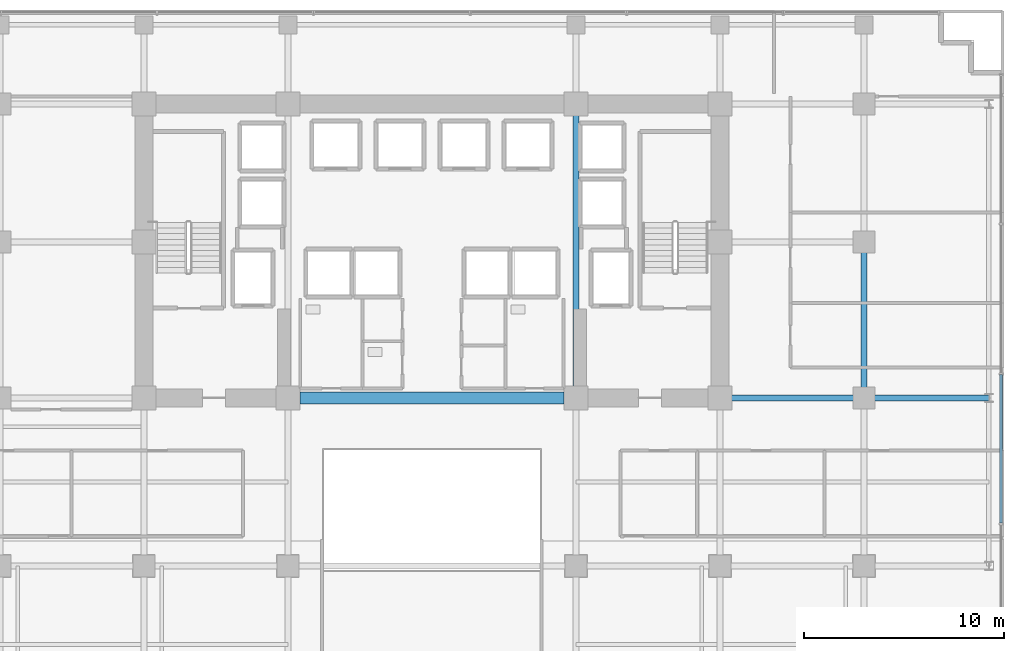
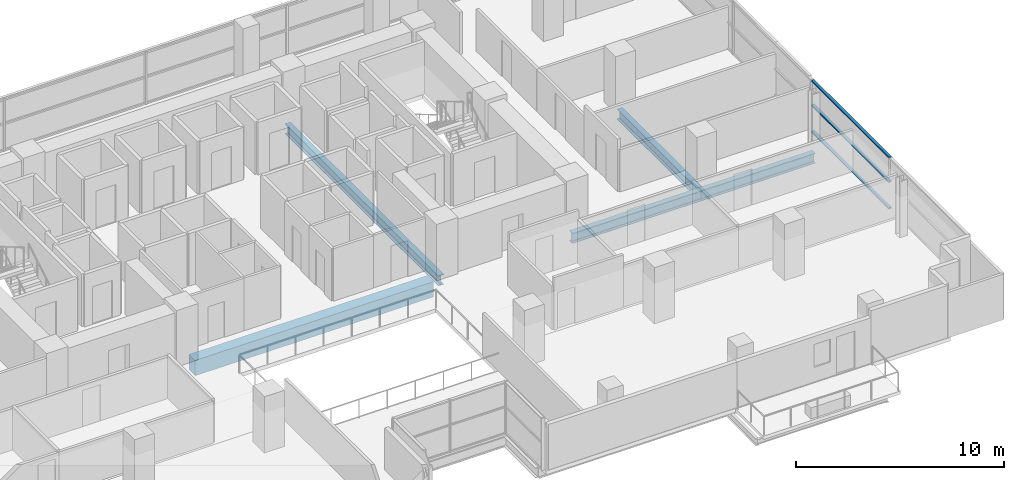
# One storey, part 14 of 31: 5 beams, 3 members, 1 element without a shape of its own.
"""IFC4 building model written with IfcOpenShell, lengths in metres."""

from ifc_helpers import new_model, si_unit, direction, frame, origin, origin_2d, place, context, subcontext, project, spatial, rectangle, hollow_rectangle, i_section, extrude, source, transform, mapped, material, layer, layer_set, material_profile, profile_set, type_object, element, aggregate, save


model = new_model("IFC4")

# Units and contexts
model_context = context("Model", 3, precision=1e-05, world=origin(), true_north=direction((0.0, 1.0)))
body_context = subcontext(model_context, "Body", "Model", "MODEL_VIEW")
ifc_project = project(units=[si_unit("LENGTHUNIT", "METRE"), si_unit("AREAUNIT", "SQUARE_METRE"), si_unit("VOLUMEUNIT", "CUBIC_METRE"), si_unit("PLANEANGLEUNIT", "RADIAN"), si_unit("MASSUNIT", "GRAM", prefix="KILO")], contexts=[model_context])

# Site, building, storey
site_placement = place(None, origin())
site = spatial("IfcSite", under=ifc_project, at=site_placement, CompositionType="ELEMENT")
building_placement = place(site_placement, origin())
building = spatial("IfcBuilding", under=site, at=building_placement, Name="Zarnakvel Exchange Tower", CompositionType="ELEMENT")
storey_placement = place(building_placement, frame((0.0, 0.0, 47.199951171875)))
storey = spatial("IfcBuildingStorey", under=building, at=storey_placement, Name="L12", CompositionType="ELEMENT", Elevation=47.199951171875)

# Beams
ifc_material_1 = material(Name="Concrete C80/95", Category="concrete")
ifc_material_profile_1 = material_profile(ifc_material_1, rectangle(XDim=0.60009765625, YDim=0.89990234375, at=origin_2d()))
ifc_profile_set_1 = profile_set([ifc_material_profile_1], Name="Concrete C80/95")
beam_type_1 = type_object("IfcBeamType", Name="CB-01", PredefinedType="LINTEL", material=ifc_profile_set_1)
beam_1_placement = place(storey_placement, frame((-6.60009765625, -1.199951171875, -0.675048828125), z_axis=(1.0, 0.0, 0.0), x_axis=(0.0, 1.0, 0.0)))
element("IfcBeam", 1, at=beam_1_placement, inside=storey, type_object=beam_type_1, Name="L12 Rear Core South Coupling Beam (CB-01)", PredefinedType="LINTEL", context=body_context, shape_type="SweptSolid", body=[
    extrude(rectangle(XDim=0.60009765625, YDim=0.89990234375, at=origin_2d()), origin(), (0.0, 0.0, 1.0), 13.2001953125),
])
ifc_material_2 = material(Name="Steel S355", Category="steel")
ifc_material_profile_2 = material_profile(ifc_material_2, i_section(OverallWidth=0.300048828125, OverallDepth=0.60009765625, WebThickness=0.015380859375, FlangeThickness=0.030029296875, FilletRadius=0.027099609375, at=origin_2d()))
ifc_profile_set_2 = profile_set([ifc_material_profile_2], Name="Steel S355")
beam_type_2 = type_object("IfcBeamType", Name="G-04", PredefinedType="BEAM", material=ifc_profile_set_2)
beam_2_placement = place(storey_placement, frame((14.39990234375, -1.199951171875, -0.52490234375), z_axis=(1.0, 0.0, 0.0), x_axis=(0.0, 1.0, 0.0)))
element("IfcBeam", 2, at=beam_2_placement, inside=storey, type_object=beam_type_2, Name="L12 Tower E-W Frame Beam", PredefinedType="BEAM", context=body_context, shape_type="SweptSolid", body=[
    extrude(i_section(OverallWidth=0.300048828125, OverallDepth=0.60009765625, WebThickness=0.015380859375, FlangeThickness=0.030029296875, FilletRadius=0.027099609375, at=origin_2d()), origin(), (0.0, 0.0, 1.0), 7.2001953125),
])
beam_3_placement = place(storey_placement, frame((21.60009765625, -1.199951171875, -0.52490234375), z_axis=(1.0, 0.0, 0.0), x_axis=(0.0, 1.0, 0.0)))
element("IfcBeam", 3, at=beam_3_placement, inside=storey, type_object=beam_type_2, Name="L12 Tower E-W Frame Beam", PredefinedType="BEAM", context=body_context, shape_type="SweptSolid", body=[
    extrude(i_section(OverallWidth=0.300048828125, OverallDepth=0.60009765625, WebThickness=0.015380859375, FlangeThickness=0.030029296875, FilletRadius=0.027099609375, at=origin_2d()), origin(), (0.0, 0.0, 1.0), 6.25),
])
beam_4_placement = place(storey_placement, frame((7.199951171875, -1.199951171875, -0.52490234375), z_axis=(0.0, 1.0, 0.0), x_axis=(-1.0, 0.0, 0.0)))
element("IfcBeam", 4, at=beam_4_placement, inside=storey, type_object=beam_type_2, Name="L12 Tower N-S Frame Beam", PredefinedType="BEAM", context=body_context, shape_type="SweptSolid", body=[
    extrude(i_section(OverallWidth=0.300048828125, OverallDepth=0.60009765625, WebThickness=0.015380859375, FlangeThickness=0.030029296875, FilletRadius=0.027099609375, at=origin_2d()), origin(), (0.0, 0.0, 1.0), 14.699951171875),
])
beam_5_placement = place(storey_placement, frame((21.60009765625, -1.199951171875, -0.52490234375), z_axis=(0.0, 1.0, 0.0), x_axis=(-1.0, 0.0, 0.0)))
element("IfcBeam", 5, at=beam_5_placement, inside=storey, type_object=beam_type_2, Name="L12 Tower N-S Frame Beam", PredefinedType="BEAM", context=body_context, shape_type="SweptSolid", body=[
    extrude(i_section(OverallWidth=0.300048828125, OverallDepth=0.60009765625, WebThickness=0.015380859375, FlangeThickness=0.030029296875, FilletRadius=0.027099609375, at=origin_2d()), origin(), (0.0, 0.0, 1.0), 7.800048828125),
])

# Curtain wall, members
ifc_material_3 = material(Name="Architectural Bronze Anodised Aluminium", Category="aluminium")
ifc_layer = layer(ifc_material_3, 0.199951171875)
ifc_layer_set = layer_set([ifc_layer], Name="Architectural Bronze Anodised Aluminium")
curtain_wall_type = type_object("IfcCurtainWallType", Name="CW-04", PredefinedType="NOTDEFINED", material=ifc_layer_set)
curtain_wall_placement = place(storey_placement, origin())
curtain_wall = element("IfcCurtainWall", 6, at=curtain_wall_placement, inside=storey, type_object=curtain_wall_type, Name="L12 Curtain Wall CW-L12-E1 (CW-04)", PredefinedType="NOTDEFINED")
ifc_material_profile_3 = material_profile(ifc_material_3, hollow_rectangle(XDim=0.159912109375, YDim=0.074951171875, WallThickness=0.00390625, at=origin_2d()))
ifc_profile_set_3 = profile_set([ifc_material_profile_3], Name="Architectural Bronze Anodised Aluminium")
member_type = type_object("IfcMemberType", Name="CWT-04", PredefinedType="USERDEFINED", material=ifc_profile_set_3)
shared_shape = source(origin(), body_context, "Body", "SweptSolid", [
    extrude(hollow_rectangle(XDim=0.159912109375, YDim=0.074951171875, WallThickness=0.00390625, at=origin_2d()), origin(), (0.0, 0.0, 1.0), 7.4248046875),
])
member_1_placement = place(storey_placement, frame((28.4599609375, -7.46240234375, 0.03759765625), z_axis=(0.0, 1.0, 0.0), x_axis=(-1.0, 0.0, 0.0)))
member_1 = element("IfcMember", 7, at=member_1_placement, type_object=member_type, Name="CW-04 transom 2.1", ObjectType="TRANSOM", PredefinedType="USERDEFINED", context=body_context, shape_type="MappedRepresentation", body=[
    mapped(shared_shape, transform((0.0, 0.0, 0.0), x_axis=(1.0, 0.0, 0.0), y_axis=(0.0, 1.0, 0.0), z_axis=(0.0, 0.0, 1.0), scale=1.0)),
])
member_2_placement = place(storey_placement, frame((28.4599609375, -7.46240234375, 1.588623046875), z_axis=(0.0, 1.0, 0.0), x_axis=(-1.0, 0.0, 0.0)))
member_2 = element("IfcMember", 8, at=member_2_placement, type_object=member_type, Name="CW-04 transom 2.2", ObjectType="TRANSOM", PredefinedType="USERDEFINED", context=body_context, shape_type="MappedRepresentation", body=[
    mapped(shared_shape, transform((0.0, 0.0, 0.0), x_axis=(1.0, 0.0, 0.0), y_axis=(0.0, 1.0, 0.0), z_axis=(0.0, 0.0, 1.0), scale=1.0)),
])
member_3_placement = place(storey_placement, frame((28.4599609375, -7.46240234375, 3.017578125), z_axis=(0.0, 1.0, 0.0), x_axis=(-1.0, 0.0, 0.0)))
member_3 = element("IfcMember", 9, at=member_3_placement, type_object=member_type, Name="CW-04 transom 2.3", ObjectType="TRANSOM", PredefinedType="USERDEFINED", context=body_context, shape_type="MappedRepresentation", body=[
    mapped(shared_shape, transform((0.0, 0.0, 0.0), x_axis=(1.0, 0.0, 0.0), y_axis=(0.0, 1.0, 0.0), z_axis=(0.0, 0.0, 1.0), scale=1.0)),
])
aggregate(curtain_wall, [member_1, member_2, member_3])

save(model, "model.ifc")
